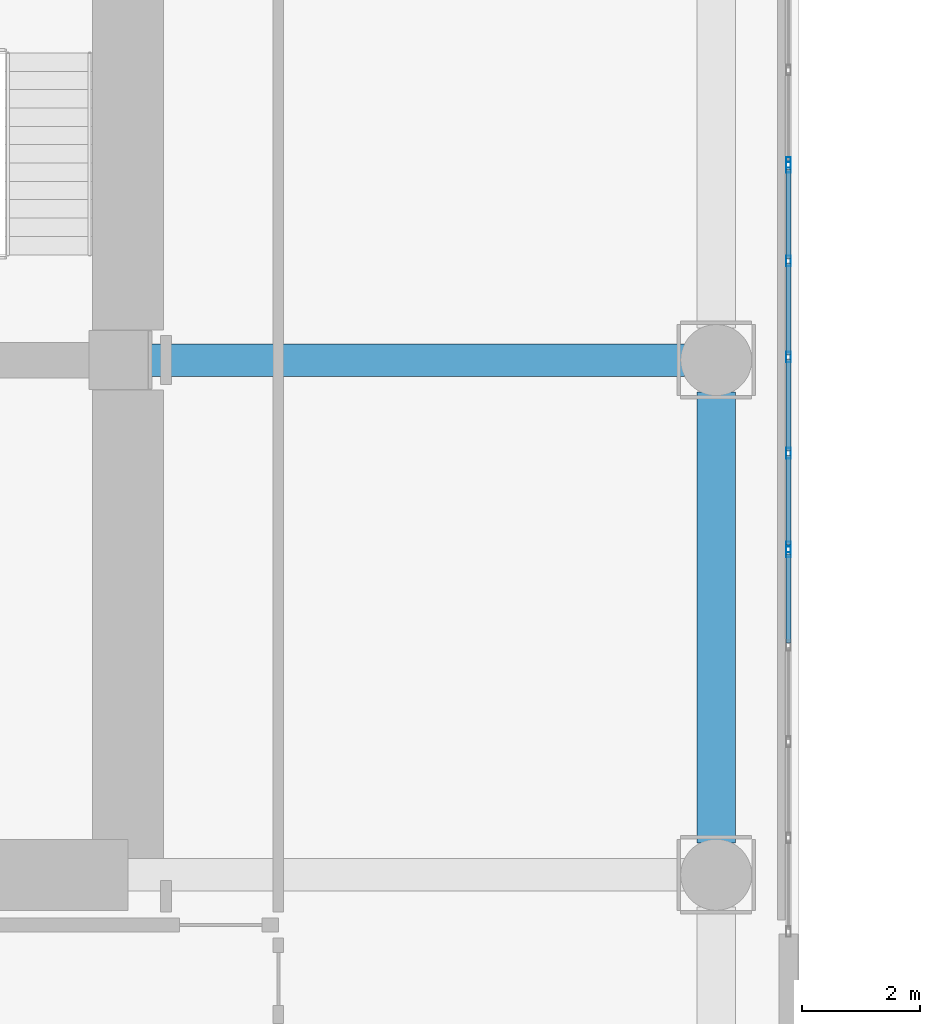
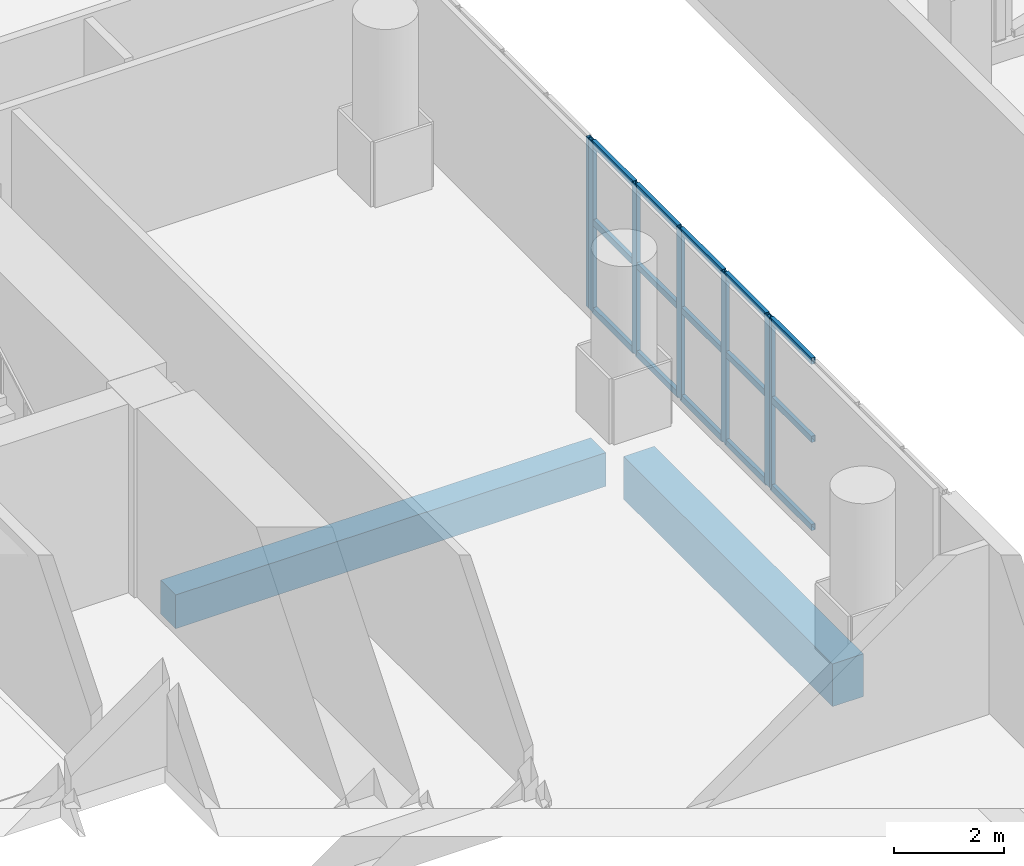
# One storey, part 4 of 25: 22 members, 2 beams, 3 elements without a shape of their own.
"""IFC4 building model written with IfcOpenShell, lengths in metres."""

from ifc_helpers import new_model, si_unit, direction, frame, origin, origin_2d, place, context, subcontext, project, spatial, rectangle, hollow_rectangle, extrude, material, layer, layer_set, material_profile, profile_set, type_object, element, aggregate, save


model = new_model("IFC4")

# Units and contexts
model_context = context("Model", 3, precision=1e-05, world=origin(), true_north=direction((0.0, 1.0)))
body_context = subcontext(model_context, "Body", "Model", "MODEL_VIEW")
ifc_project = project(units=[si_unit("LENGTHUNIT", "METRE"), si_unit("AREAUNIT", "SQUARE_METRE"), si_unit("VOLUMEUNIT", "CUBIC_METRE"), si_unit("PLANEANGLEUNIT", "RADIAN"), si_unit("MASSUNIT", "GRAM", prefix="KILO")], contexts=[model_context])

# Site, building, storey
site_placement = place(None, origin())
site = spatial("IfcSite", under=ifc_project, at=site_placement, CompositionType="ELEMENT")
building_placement = place(site_placement, origin())
building = spatial("IfcBuilding", under=site, at=building_placement, Name="Solanera Arch Residences", CompositionType="ELEMENT")
storey_placement = place(building_placement, frame((0.0, 0.0, 17.800048828125)))
storey = spatial("IfcBuildingStorey", under=building, at=storey_placement, Name="L04", CompositionType="ELEMENT", Elevation=17.800048828125)

# Curtain wall, member
ifc_material_1 = material(Name="Anodised Aluminium Alloy 6063-T6", Category="aluminium")
ifc_layer = layer(ifc_material_1, 0.179931640625)
ifc_layer_set = layer_set([ifc_layer], Name="Anodised Aluminium Alloy 6063-T6")
curtain_wall_type = type_object("IfcCurtainWallType", Name="CW-4 Podium Conservatory Curtain Wall", PredefinedType="USERDEFINED", material=ifc_layer_set)
curtain_wall_1_placement = place(storey_placement, origin())
curtain_wall_1 = element("IfcCurtainWall", 1, at=curtain_wall_1_placement, inside=storey, type_object=curtain_wall_type, Name="L04 Podium Conservatory Curtain Wall 1", ObjectType="CURTAIN_WALL", PredefinedType="USERDEFINED")
ifc_material_2 = material(Name="Anodised Aluminium Alloy 6063-T6", Category="aluminium")
ifc_material_profile_1 = material_profile(ifc_material_2, hollow_rectangle(XDim=0.080078125, YDim=0.179931640625, WallThickness=0.00390625, at=origin_2d()))
ifc_profile_set_1 = profile_set([ifc_material_profile_1], Name="Anodised Aluminium Alloy 6063-T6")
member_type_1 = type_object("IfcMemberType", Name="Curtain Wall Mullion ALU-MUL-80X180", PredefinedType="MULLION", material=ifc_profile_set_1)
member_1_placement = place(storey_placement, frame((47.820068359375, 34.0400390625, 0.0), z_axis=(0.0, 0.0, 1.0), x_axis=(1.0, 0.0, 0.0)))
member_1 = element("IfcMember", 2, at=member_1_placement, type_object=member_type_1, Name="CW-4 mullion 5", PredefinedType="MULLION", context=body_context, shape_type="SweptSolid", body=[
    extrude(hollow_rectangle(XDim=0.080078125, YDim=0.179931640625, WallThickness=0.00390625, at=origin_2d()), origin(), (0.0, 0.0, 1.0), 3.780029296875),
])
aggregate(curtain_wall_1, [member_1])

# Curtain wall, members
curtain_wall_2_placement = place(storey_placement, origin())
curtain_wall_2 = element("IfcCurtainWall", 3, at=curtain_wall_2_placement, inside=storey, type_object=curtain_wall_type, Name="L04 Podium Conservatory Curtain Wall 2", ObjectType="CURTAIN_WALL", PredefinedType="USERDEFINED")
member_2_placement = place(storey_placement, frame((47.820068359375, 33.9599609375, 0.0), z_axis=(0.0, 0.0, 1.0), x_axis=(1.0, 0.0, 0.0)))
member_2 = element("IfcMember", 4, at=member_2_placement, type_object=member_type_1, Name="CW-4 mullion 1", PredefinedType="MULLION", context=body_context, shape_type="SweptSolid", body=[
    extrude(hollow_rectangle(XDim=0.080078125, YDim=0.179931640625, WallThickness=0.00390625, at=origin_2d()), origin(), (0.0, 0.0, 1.0), 3.780029296875),
])
member_3_placement = place(storey_placement, frame((47.820068359375, 32.375, 0.0), z_axis=(0.0, 0.0, 1.0), x_axis=(1.0, 0.0, 0.0)))
member_3 = element("IfcMember", 5, at=member_3_placement, type_object=member_type_1, Name="CW-4 mullion 2", PredefinedType="MULLION", context=body_context, shape_type="SweptSolid", body=[
    extrude(hollow_rectangle(XDim=0.080078125, YDim=0.179931640625, WallThickness=0.00390625, at=origin_2d()), origin(), (0.0, 0.0, 1.0), 3.780029296875),
])
member_4_placement = place(storey_placement, frame((47.820068359375, 30.75, 0.0), z_axis=(0.0, 0.0, 1.0), x_axis=(1.0, 0.0, 0.0)))
member_4 = element("IfcMember", 6, at=member_4_placement, type_object=member_type_1, Name="CW-4 mullion 3", PredefinedType="MULLION", context=body_context, shape_type="SweptSolid", body=[
    extrude(hollow_rectangle(XDim=0.080078125, YDim=0.179931640625, WallThickness=0.00390625, at=origin_2d()), origin(), (0.0, 0.0, 1.0), 3.780029296875),
])
member_5_placement = place(storey_placement, frame((47.820068359375, 29.125, 0.0), z_axis=(0.0, 0.0, 1.0), x_axis=(1.0, 0.0, 0.0)))
member_5 = element("IfcMember", 7, at=member_5_placement, type_object=member_type_1, Name="CW-4 mullion 4", PredefinedType="MULLION", context=body_context, shape_type="SweptSolid", body=[
    extrude(hollow_rectangle(XDim=0.080078125, YDim=0.179931640625, WallThickness=0.00390625, at=origin_2d()), origin(), (0.0, 0.0, 1.0), 3.780029296875),
])
member_6_placement = place(storey_placement, frame((47.820068359375, 27.5400390625, 0.0), z_axis=(0.0, 0.0, 1.0), x_axis=(1.0, 0.0, 0.0)))
member_6 = element("IfcMember", 8, at=member_6_placement, type_object=member_type_1, Name="CW-4 mullion 5", PredefinedType="MULLION", context=body_context, shape_type="SweptSolid", body=[
    extrude(hollow_rectangle(XDim=0.080078125, YDim=0.179931640625, WallThickness=0.00390625, at=origin_2d()), origin(), (0.0, 0.0, 1.0), 3.780029296875),
])

# Curtain wall, member
curtain_wall_3_placement = place(storey_placement, origin())
curtain_wall_3 = element("IfcCurtainWall", 9, at=curtain_wall_3_placement, inside=storey, type_object=curtain_wall_type, Name="L04 Podium Conservatory Curtain Wall 3", ObjectType="CURTAIN_WALL", PredefinedType="USERDEFINED")
member_7_placement = place(storey_placement, frame((47.820068359375, 27.4599609375, 0.0), z_axis=(0.0, 0.0, 1.0), x_axis=(1.0, 0.0, 0.0)))
member_7 = element("IfcMember", 10, at=member_7_placement, type_object=member_type_1, Name="CW-4 mullion 1", PredefinedType="MULLION", context=body_context, shape_type="SweptSolid", body=[
    extrude(hollow_rectangle(XDim=0.080078125, YDim=0.179931640625, WallThickness=0.00390625, at=origin_2d()), origin(), (0.0, 0.0, 1.0), 3.780029296875),
])

# Member
ifc_material_3 = material(Name="Anodised Aluminium Alloy 6063-T6", Category="aluminium")
ifc_material_profile_2 = material_profile(ifc_material_3, hollow_rectangle(XDim=0.080078125, YDim=0.139892578125, WallThickness=0.00390625, at=origin_2d()))
ifc_profile_set_2 = profile_set([ifc_material_profile_2], Name="Anodised Aluminium Alloy 6063-T6")
member_type_2 = type_object("IfcMemberType", Name="Curtain Wall Transom ALU-TRN-80X140", PredefinedType="USERDEFINED", material=ifc_profile_set_2)
member_8_placement = place(storey_placement, frame((47.820068359375, 33.919921875, 0.0400390625), z_axis=(0.0, -1.0, 0.0), x_axis=(1.0, 0.0, 0.0)))
member_8 = element("IfcMember", 11, at=member_8_placement, type_object=member_type_2, Name="CW-4 transom 1.1", ObjectType="TRANSOM", PredefinedType="USERDEFINED", context=body_context, shape_type="SweptSolid", body=[
    extrude(hollow_rectangle(XDim=0.080078125, YDim=0.139892578125, WallThickness=0.00390625, at=origin_2d()), origin(), (0.0, 0.0, 1.0), 1.5048828125),
])

member_9_placement = place(storey_placement, frame((47.820068359375, 33.919921875, 2.0), z_axis=(0.0, -1.0, 0.0), x_axis=(1.0, 0.0, 0.0)))
member_9 = element("IfcMember", 12, at=member_9_placement, type_object=member_type_2, Name="CW-4 transom 1.2", ObjectType="TRANSOM", PredefinedType="USERDEFINED", context=body_context, shape_type="SweptSolid", body=[
    extrude(hollow_rectangle(XDim=0.080078125, YDim=0.139892578125, WallThickness=0.00390625, at=origin_2d()), origin(), (0.0, 0.0, 1.0), 1.5048828125),
])

member_10_placement = place(storey_placement, frame((47.820068359375, 33.919921875, 3.739990234375), z_axis=(0.0, -1.0, 0.0), x_axis=(1.0, 0.0, 0.0)))
member_10 = element("IfcMember", 13, at=member_10_placement, type_object=member_type_2, Name="CW-4 transom 1.3", ObjectType="TRANSOM", PredefinedType="USERDEFINED", context=body_context, shape_type="SweptSolid", body=[
    extrude(hollow_rectangle(XDim=0.080078125, YDim=0.139892578125, WallThickness=0.00390625, at=origin_2d()), origin(), (0.0, 0.0, 1.0), 1.5048828125),
])

member_11_placement = place(storey_placement, frame((47.820068359375, 32.3349609375, 0.0400390625), z_axis=(0.0, -1.0, 0.0), x_axis=(1.0, 0.0, 0.0)))
member_11 = element("IfcMember", 14, at=member_11_placement, type_object=member_type_2, Name="CW-4 transom 2.1", ObjectType="TRANSOM", PredefinedType="USERDEFINED", context=body_context, shape_type="SweptSolid", body=[
    extrude(hollow_rectangle(XDim=0.080078125, YDim=0.139892578125, WallThickness=0.00390625, at=origin_2d()), origin(), (0.0, 0.0, 1.0), 1.544921875),
])

member_12_placement = place(storey_placement, frame((47.820068359375, 32.3349609375, 2.0), z_axis=(0.0, -1.0, 0.0), x_axis=(1.0, 0.0, 0.0)))
member_12 = element("IfcMember", 15, at=member_12_placement, type_object=member_type_2, Name="CW-4 transom 2.2", ObjectType="TRANSOM", PredefinedType="USERDEFINED", context=body_context, shape_type="SweptSolid", body=[
    extrude(hollow_rectangle(XDim=0.080078125, YDim=0.139892578125, WallThickness=0.00390625, at=origin_2d()), origin(), (0.0, 0.0, 1.0), 1.544921875),
])

member_13_placement = place(storey_placement, frame((47.820068359375, 32.3349609375, 3.739990234375), z_axis=(0.0, -1.0, 0.0), x_axis=(1.0, 0.0, 0.0)))
member_13 = element("IfcMember", 16, at=member_13_placement, type_object=member_type_2, Name="CW-4 transom 2.3", ObjectType="TRANSOM", PredefinedType="USERDEFINED", context=body_context, shape_type="SweptSolid", body=[
    extrude(hollow_rectangle(XDim=0.080078125, YDim=0.139892578125, WallThickness=0.00390625, at=origin_2d()), origin(), (0.0, 0.0, 1.0), 1.544921875),
])

member_14_placement = place(storey_placement, frame((47.820068359375, 30.7099609375, 0.0400390625), z_axis=(0.0, -1.0, 0.0), x_axis=(1.0, 0.0, 0.0)))
member_14 = element("IfcMember", 17, at=member_14_placement, type_object=member_type_2, Name="CW-4 transom 3.1", ObjectType="TRANSOM", PredefinedType="USERDEFINED", context=body_context, shape_type="SweptSolid", body=[
    extrude(hollow_rectangle(XDim=0.080078125, YDim=0.139892578125, WallThickness=0.00390625, at=origin_2d()), origin(), (0.0, 0.0, 1.0), 1.544921875),
])

member_15_placement = place(storey_placement, frame((47.820068359375, 30.7099609375, 2.0), z_axis=(0.0, -1.0, 0.0), x_axis=(1.0, 0.0, 0.0)))
member_15 = element("IfcMember", 18, at=member_15_placement, type_object=member_type_2, Name="CW-4 transom 3.2", ObjectType="TRANSOM", PredefinedType="USERDEFINED", context=body_context, shape_type="SweptSolid", body=[
    extrude(hollow_rectangle(XDim=0.080078125, YDim=0.139892578125, WallThickness=0.00390625, at=origin_2d()), origin(), (0.0, 0.0, 1.0), 1.544921875),
])

member_16_placement = place(storey_placement, frame((47.820068359375, 30.7099609375, 3.739990234375), z_axis=(0.0, -1.0, 0.0), x_axis=(1.0, 0.0, 0.0)))
member_16 = element("IfcMember", 19, at=member_16_placement, type_object=member_type_2, Name="CW-4 transom 3.3", ObjectType="TRANSOM", PredefinedType="USERDEFINED", context=body_context, shape_type="SweptSolid", body=[
    extrude(hollow_rectangle(XDim=0.080078125, YDim=0.139892578125, WallThickness=0.00390625, at=origin_2d()), origin(), (0.0, 0.0, 1.0), 1.544921875),
])

member_17_placement = place(storey_placement, frame((47.820068359375, 29.0849609375, 0.0400390625), z_axis=(0.0, -1.0, 0.0), x_axis=(1.0, 0.0, 0.0)))
member_17 = element("IfcMember", 20, at=member_17_placement, type_object=member_type_2, Name="CW-4 transom 4.1", ObjectType="TRANSOM", PredefinedType="USERDEFINED", context=body_context, shape_type="SweptSolid", body=[
    extrude(hollow_rectangle(XDim=0.080078125, YDim=0.139892578125, WallThickness=0.00390625, at=origin_2d()), origin(), (0.0, 0.0, 1.0), 1.5048828125),
])

member_18_placement = place(storey_placement, frame((47.820068359375, 29.0849609375, 2.0), z_axis=(0.0, -1.0, 0.0), x_axis=(1.0, 0.0, 0.0)))
member_18 = element("IfcMember", 21, at=member_18_placement, type_object=member_type_2, Name="CW-4 transom 4.2", ObjectType="TRANSOM", PredefinedType="USERDEFINED", context=body_context, shape_type="SweptSolid", body=[
    extrude(hollow_rectangle(XDim=0.080078125, YDim=0.139892578125, WallThickness=0.00390625, at=origin_2d()), origin(), (0.0, 0.0, 1.0), 1.5048828125),
])

member_19_placement = place(storey_placement, frame((47.820068359375, 29.0849609375, 3.739990234375), z_axis=(0.0, -1.0, 0.0), x_axis=(1.0, 0.0, 0.0)))
member_19 = element("IfcMember", 22, at=member_19_placement, type_object=member_type_2, Name="CW-4 transom 4.3", ObjectType="TRANSOM", PredefinedType="USERDEFINED", context=body_context, shape_type="SweptSolid", body=[
    extrude(hollow_rectangle(XDim=0.080078125, YDim=0.139892578125, WallThickness=0.00390625, at=origin_2d()), origin(), (0.0, 0.0, 1.0), 1.5048828125),
])

aggregate(curtain_wall_2, [member_2, member_3, member_4, member_5, member_6, member_8, member_9, member_10, member_11, member_12, member_13, member_14, member_15, member_16, member_17, member_18, member_19])

member_20_placement = place(storey_placement, frame((47.820068359375, 27.419921875, 0.0400390625), z_axis=(0.0, -1.0, 0.0), x_axis=(1.0, 0.0, 0.0)))
member_20 = element("IfcMember", 23, at=member_20_placement, type_object=member_type_2, Name="CW-4 transom 1.1", ObjectType="TRANSOM", PredefinedType="USERDEFINED", context=body_context, shape_type="SweptSolid", body=[
    extrude(hollow_rectangle(XDim=0.080078125, YDim=0.139892578125, WallThickness=0.00390625, at=origin_2d()), origin(), (0.0, 0.0, 1.0), 1.5048828125),
])

member_21_placement = place(storey_placement, frame((47.820068359375, 27.419921875, 2.0), z_axis=(0.0, -1.0, 0.0), x_axis=(1.0, 0.0, 0.0)))
member_21 = element("IfcMember", 24, at=member_21_placement, type_object=member_type_2, Name="CW-4 transom 1.2", ObjectType="TRANSOM", PredefinedType="USERDEFINED", context=body_context, shape_type="SweptSolid", body=[
    extrude(hollow_rectangle(XDim=0.080078125, YDim=0.139892578125, WallThickness=0.00390625, at=origin_2d()), origin(), (0.0, 0.0, 1.0), 1.5048828125),
])

member_22_placement = place(storey_placement, frame((47.820068359375, 27.419921875, 3.739990234375), z_axis=(0.0, -1.0, 0.0), x_axis=(1.0, 0.0, 0.0)))
member_22 = element("IfcMember", 25, at=member_22_placement, type_object=member_type_2, Name="CW-4 transom 1.3", ObjectType="TRANSOM", PredefinedType="USERDEFINED", context=body_context, shape_type="SweptSolid", body=[
    extrude(hollow_rectangle(XDim=0.080078125, YDim=0.139892578125, WallThickness=0.00390625, at=origin_2d()), origin(), (0.0, 0.0, 1.0), 1.5048828125),
])

aggregate(curtain_wall_3, [member_7, member_20, member_21, member_22])

# Beams
ifc_material_4 = material(Name="Concrete C40/50 (f'c = 45 MPa)", Category="concrete")
ifc_material_profile_3 = material_profile(ifc_material_4, rectangle(XDim=0.550048828125, YDim=0.75, at=origin_2d()))
ifc_profile_set_3 = profile_set([ifc_material_profile_3], Name="Concrete C40/50 (f'c = 45 MPa)")
beam_type_1 = type_object("IfcBeamType", Name="Primary Beam RC-BM-550X750", PredefinedType="BEAM", material=ifc_profile_set_3)
beam_1_placement = place(storey_placement, frame((37.00390625, 30.699951171875, -0.795166015625), z_axis=(1.0, 0.0, 0.0), x_axis=(0.0, 1.0, 0.0)))
element("IfcBeam", 26, at=beam_1_placement, inside=storey, type_object=beam_type_1, Name="BM-L04-POD-RE-30", PredefinedType="BEAM", context=body_context, shape_type="SweptSolid", body=[
    extrude(rectangle(XDim=0.550048828125, YDim=0.75, at=origin_2d()), origin(), (0.0, 0.0, 1.0), 9.05615234375),
])
ifc_material_5 = material(Name="Concrete C40/50 (f'c = 45 MPa)", Category="concrete")
ifc_material_profile_4 = material_profile(ifc_material_5, rectangle(XDim=0.64990234375, YDim=0.949951171875, at=origin_2d()))
ifc_profile_set_4 = profile_set([ifc_material_profile_4], Name="Concrete C40/50 (f'c = 45 MPa)")
beam_type_2 = type_object("IfcBeamType", Name="Primary Beam RC-BM-650X950", PredefinedType="BEAM", material=ifc_profile_set_4)
beam_2_placement = place(storey_placement, frame((46.60009765625, 22.5400390625, -0.89501953125), z_axis=(0.0, 1.0, 0.0), x_axis=(-1.0, 0.0, 0.0)))
element("IfcBeam", 27, at=beam_2_placement, inside=storey, type_object=beam_type_2, Name="BM-L04-POD-E2", PredefinedType="BEAM", context=body_context, shape_type="SweptSolid", body=[
    extrude(rectangle(XDim=0.64990234375, YDim=0.949951171875, at=origin_2d()), origin(), (0.0, 0.0, 1.0), 7.619873046875),
])

save(model, "model.ifc")
